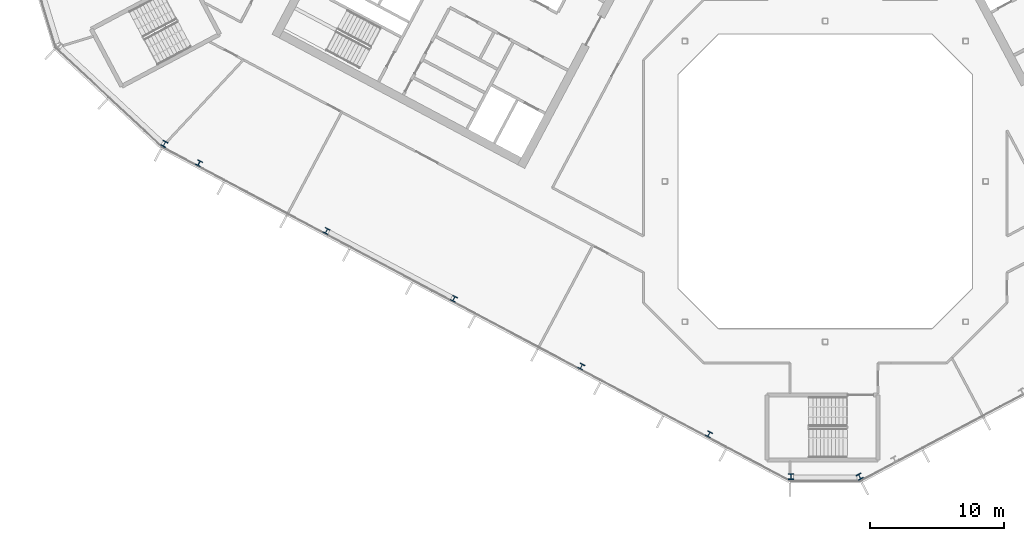
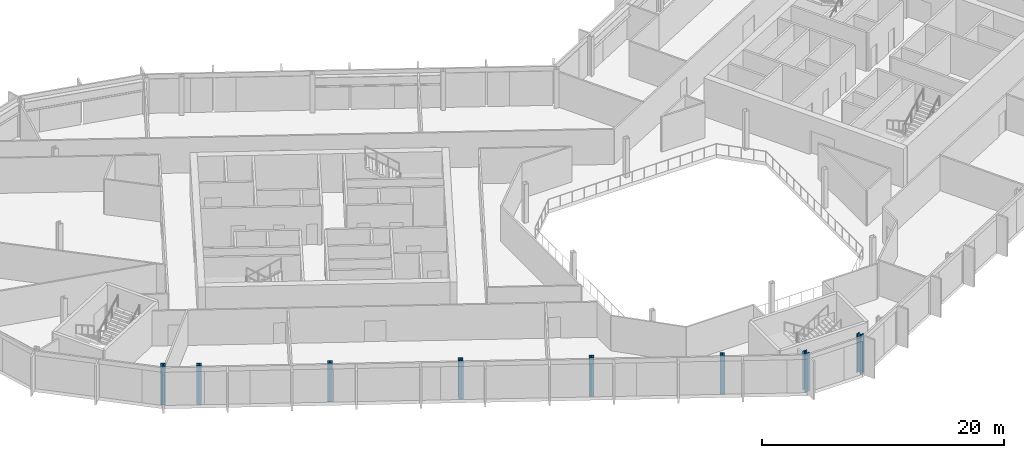
# One storey, part 1 of 27: 8 columns.
"""IFC4 building model written with IfcOpenShell, lengths in metres."""

from ifc_helpers import new_model, si_unit, direction, frame, origin, origin_2d, place, context, subcontext, project, spatial, i_section, extrude, material, material_profile, profile_set, type_object, element, save


model = new_model("IFC4")

# Units and contexts
model_context = context("Model", 3, precision=1e-05, world=origin(), true_north=direction((0.0, 1.0)))
body_context = subcontext(model_context, "Body", "Model", "MODEL_VIEW")
ifc_project = project(units=[si_unit("LENGTHUNIT", "METRE"), si_unit("AREAUNIT", "SQUARE_METRE"), si_unit("VOLUMEUNIT", "CUBIC_METRE"), si_unit("PLANEANGLEUNIT", "RADIAN"), si_unit("MASSUNIT", "GRAM", prefix="KILO")], contexts=[model_context])

# Site, building, storey
site_placement = place(None, origin())
site = spatial("IfcSite", under=ifc_project, at=site_placement, CompositionType="ELEMENT")
building_placement = place(site_placement, origin())
building = spatial("IfcBuilding", under=site, at=building_placement, Name="Cormorant Relay Tower", CompositionType="ELEMENT")
storey_placement = place(building_placement, frame((0.0, 0.0, 240.300048828125)))
storey = spatial("IfcBuildingStorey", under=building, at=storey_placement, Name="L53", CompositionType="ELEMENT", Elevation=240.300048828125)

# Columns
ifc_material_1 = material(Name="Steel ASTM A992 (Fy 345 MPa)", Category="steel")
ifc_material_profile_1 = material_profile(ifc_material_1, i_section(OverallWidth=0.40380859375, OverallDepth=0.406494140625, WebThickness=0.027099609375, FlangeThickness=0.043701171875, FilletRadius=0.01513671875, at=origin_2d()), Name="W360x347")
ifc_profile_set_1 = profile_set([ifc_material_profile_1], Name="Steel ASTM A992 (Fy 345 MPa)")
column_type_1 = type_object("IfcColumnType", Name="Column W360x347", PredefinedType="COLUMN", material=ifc_profile_set_1)
for number, where, z_axis, x_axis, name in (
    (1, (-8.700927734375, -18.919921875, 0.0), (0.0, 0.0, 1.0), (0.882947592859, -0.469471562786, 0.0), "Column L53-004"),
    (2, (-18.237060546875, -13.85009765625, 0.0), (0.0, 0.0, 1.0), (0.882947592859, -0.469471562786, 0.0), "Column L53-006"),
    (3, (-27.77197265625, -8.779052734375, 0.0), (0.0, 0.0, 1.0), (0.882947592859, -0.469471562786, 0.0), "Column L53-011"),
    (4, (-37.30810546875, -3.708984375, 0.0), (0.0, 0.0, 1.0), (0.882947592859, -0.469471562786, 0.0), "Column L53-013"),
    (5, (-46.843994140625, 1.361083984375, 0.0), (0.0, 0.0, 1.0), (0.882947592859, -0.469471562786, 0.0), "Column L53-017"),
):
    element("IfcColumn", number, at=place(storey_placement, frame(where, z_axis=z_axis, x_axis=x_axis)), inside=storey, type_object=column_type_1, Name=name, PredefinedType="COLUMN", context=body_context, shape_type="SweptSolid", body=[
        extrude(i_section(OverallWidth=0.40380859375, OverallDepth=0.406494140625, WebThickness=0.027099609375, FlangeThickness=0.043701171875, FilletRadius=0.01513671875, at=origin_2d()), origin(), (0.0, 0.0, 1.0), 3.89990234375),
    ])
ifc_material_2 = material(Name="Steel ASTM A992 (Fy 345 MPa)", Category="steel")
ifc_material_profile_2 = material_profile(ifc_material_2, i_section(OverallWidth=0.41162109375, OverallDepth=0.434326171875, WebThickness=0.035888671875, FlangeThickness=0.057373046875, FilletRadius=0.01513671875, at=origin_2d()), Name="W360x463")
ifc_profile_set_2 = profile_set([ifc_material_profile_2], Name="Steel ASTM A992 (Fy 345 MPa)")
column_type_2 = type_object("IfcColumnType", Name="Column W360x463", PredefinedType="COLUMN", material=ifc_profile_set_2)
for number, where, z_axis, x_axis, name in (
    (6, (-2.575927734375, -22.083984375, 0.0), (0.0, 0.0, 1.0), (1.0, 0.0, 0.0), "Column L53-001"),
    (7, (2.575927734375, -22.083984375, 0.0), (0.0, 0.0, 1.0), (0.882947592859, 0.469471562786, 0.0), "Column L53-002"),
    (8, (-49.43505859375, 2.803955078125, 0.0), (0.0, 0.0, 1.0), (0.882947592859, -0.469471562786, 0.0), "Column L53-018"),
):
    element("IfcColumn", number, at=place(storey_placement, frame(where, z_axis=z_axis, x_axis=x_axis)), inside=storey, type_object=column_type_2, Name=name, PredefinedType="COLUMN", context=body_context, shape_type="SweptSolid", body=[
        extrude(i_section(OverallWidth=0.41162109375, OverallDepth=0.434326171875, WebThickness=0.035888671875, FlangeThickness=0.057373046875, FilletRadius=0.01513671875, at=origin_2d()), origin(), (0.0, 0.0, 1.0), 3.89990234375),
    ])

save(model, "model.ifc")
